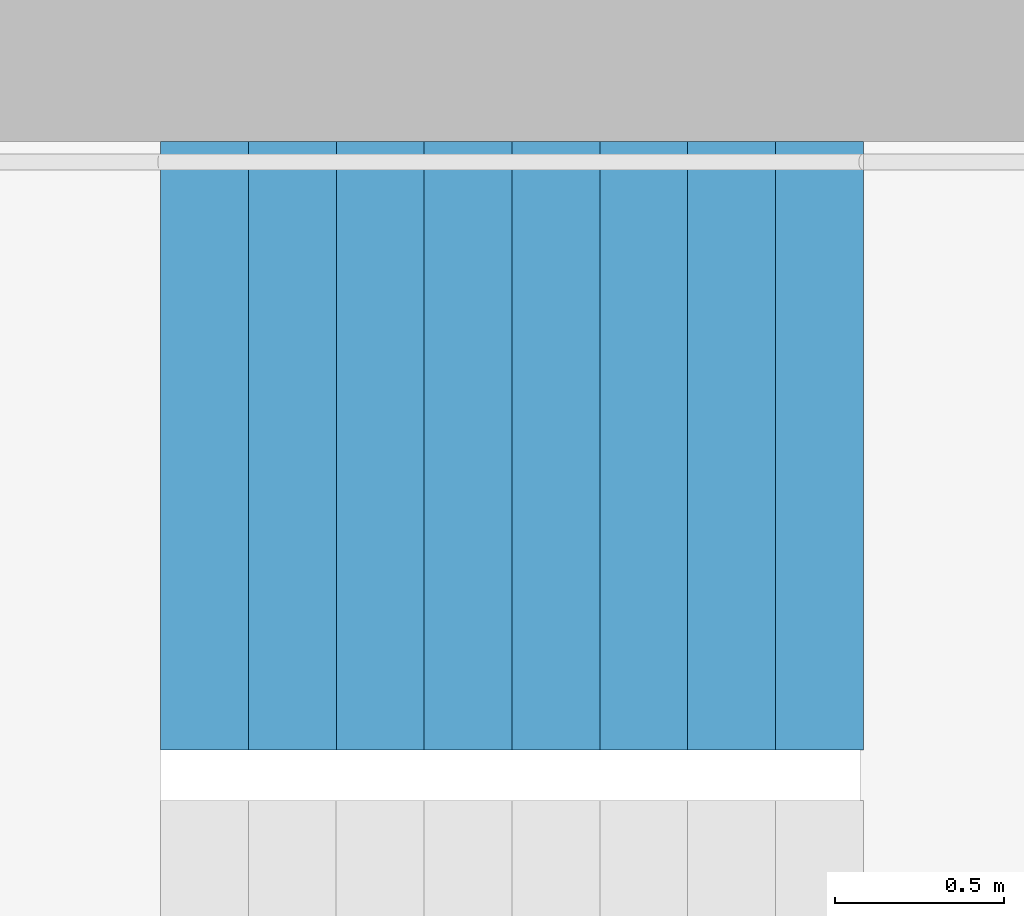
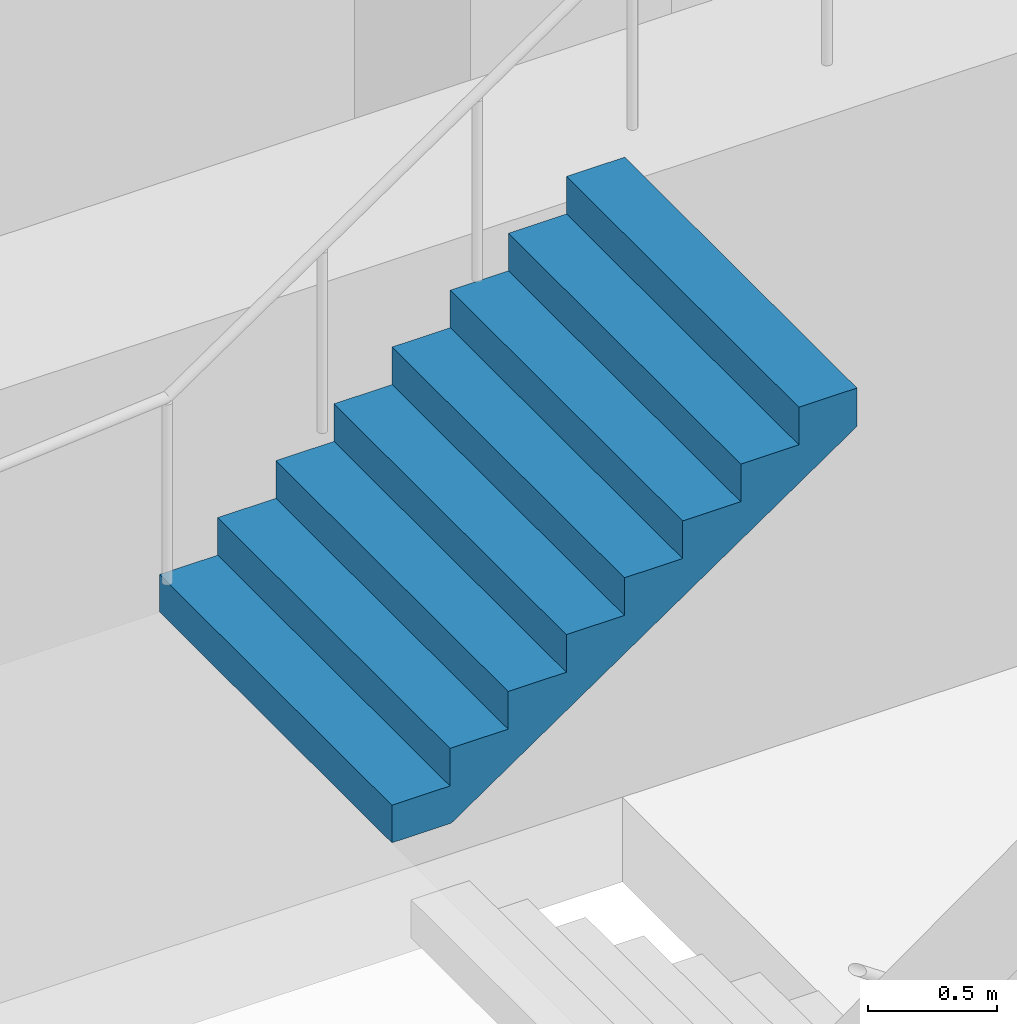
# One storey, part 28 of 29: 1 stair flight, 1 element without a shape of its own.
"""IFC4 building model written with IfcOpenShell, lengths in metres."""

from ifc_helpers import new_model, si_unit, direction, frame, origin, place, context, subcontext, project, spatial, triangles, material, type_object, element, aggregate, save


model = new_model("IFC4")

# Units and contexts
model_context = context("Model", 3, precision=1e-05, world=origin(), true_north=direction((0.0, 1.0)))
body_context = subcontext(model_context, "Body", "Model", "MODEL_VIEW")
ifc_project = project(units=[si_unit("LENGTHUNIT", "METRE"), si_unit("AREAUNIT", "SQUARE_METRE"), si_unit("VOLUMEUNIT", "CUBIC_METRE"), si_unit("PLANEANGLEUNIT", "RADIAN"), si_unit("MASSUNIT", "GRAM", prefix="KILO")], contexts=[model_context])

# Site, building, storey
site_placement = place(None, origin())
site = spatial("IfcSite", under=ifc_project, at=site_placement, CompositionType="ELEMENT")
building_placement = place(site_placement, origin())
building = spatial("IfcBuilding", under=site, at=building_placement, Name="Hakoniwa Tower and Hamabe Station Hall", CompositionType="ELEMENT")
storey_placement = place(building_placement, frame((0.0, 0.0, 117.0)))
storey = spatial("IfcBuildingStorey", under=building, at=storey_placement, Name="L33", CompositionType="ELEMENT", Elevation=117.0)

# Stair, stair flight
ifc_material_1 = material(Name="Concrete C40", Category="concrete")
stair_type = type_object("IfcStairType", Name="ESCAPE STAIR 1800", PredefinedType="HALF_TURN_STAIR", material=ifc_material_1)
stair_placement = place(storey_placement, origin())
stair = element("IfcStair", 1, at=stair_placement, inside=storey, type_object=stair_type, Name="Escape stair ST-3 L33", PredefinedType="HALF_TURN_STAIR")
ifc_material_2 = material(Name="Concrete C40", Category="concrete")
stair_flight_type = type_object("IfcStairFlightType", Name="STAIR FLIGHT 1800", PredefinedType="STRAIGHT", material=ifc_material_2)
stair_flight_placement = place(storey_placement, frame((22.320068359375, 6.60009765625, 1.60009765625), z_axis=(0.0, 0.0, 1.0), x_axis=(1.0, 0.0, 0.0)))
stair_flight = element("IfcStairFlight", 2, at=stair_flight_placement, type_object=stair_flight_type, Name="ST-3 flight 2", NumberOfRisers=9, NumberOfTreads=8, PredefinedType="STRAIGHT", RiserHeight=0.177777778, TreadLength=0.26, context=body_context, shape_type="Tessellation", body=[
    triangles([(0.0, 0.89990234375, 0.0), (0.260009765625, 0.89990234375, 0.0), (0.265625, 0.89990234375, 0.0), (0.52001953125, 0.89990234375, 0.174072265625), (0.780029296875, 0.89990234375, 0.351806640625), (1.0400390625, 0.89990234375, 0.529541015625), (1.300048828125, 0.89990234375, 0.707275390625), (1.56005859375, 0.89990234375, 0.885009765625), (1.820068359375, 0.89990234375, 1.062744140625), (2.080078125, 0.89990234375, 1.24072265625), (2.080078125, 0.89990234375, 1.422119140625), (1.820068359375, 0.89990234375, 1.422119140625), (1.820068359375, 0.89990234375, 1.244384765625), (1.56005859375, 0.89990234375, 1.244384765625), (1.56005859375, 0.89990234375, 1.066650390625), (1.300048828125, 0.89990234375, 1.066650390625), (1.300048828125, 0.89990234375, 0.888916015625), (1.0400390625, 0.89990234375, 0.888916015625), (1.0400390625, 0.89990234375, 0.711181640625), (0.780029296875, 0.89990234375, 0.711181640625), (0.780029296875, 0.89990234375, 0.533447265625), (0.52001953125, 0.89990234375, 0.533447265625), (0.52001953125, 0.89990234375, 0.35546875), (0.265625, 0.89990234375, 0.35546875), (0.260009765625, 0.89990234375, 0.35546875), (0.260009765625, 0.89990234375, 0.177734375), (0.0, 0.89990234375, 0.177734375), (0.0, 0.06005859375, 0.0), (0.260009765625, 0.06005859375, 0.0), (0.265625, 0.06005859375, 0.0), (0.52001953125, 0.06005859375, 0.174072265625), (0.780029296875, 0.06005859375, 0.351806640625), (1.0400390625, 0.06005859375, 0.529541015625), (1.300048828125, 0.06005859375, 0.707275390625), (1.56005859375, 0.06005859375, 0.885009765625), (1.820068359375, 0.06005859375, 1.062744140625), (2.080078125, 0.06005859375, 1.24072265625), (2.080078125, 0.06005859375, 1.422119140625), (1.820068359375, 0.06005859375, 1.422119140625), (1.820068359375, 0.06005859375, 1.244384765625), (1.56005859375, 0.06005859375, 1.244384765625), (1.56005859375, 0.06005859375, 1.066650390625), (1.300048828125, 0.06005859375, 1.066650390625), (1.300048828125, 0.06005859375, 0.888916015625), (1.0400390625, 0.06005859375, 0.888916015625), (1.0400390625, 0.06005859375, 0.711181640625), (0.780029296875, 0.06005859375, 0.711181640625), (0.780029296875, 0.06005859375, 0.533447265625), (0.52001953125, 0.06005859375, 0.533447265625), (0.52001953125, 0.06005859375, 0.35546875), (0.265625, 0.06005859375, 0.35546875), (0.260009765625, 0.06005859375, 0.35546875), (0.260009765625, 0.06005859375, 0.177734375), (0.0, 0.06005859375, 0.177734375), (0.0, 0.04296875, 0.0), (0.260009765625, 0.04296875, 0.0), (0.265625, 0.04296875, 0.0), (0.52001953125, 0.04296875, 0.174072265625), (0.780029296875, 0.04296875, 0.351806640625), (1.0400390625, 0.04296875, 0.529541015625), (1.300048828125, 0.04296875, 0.707275390625), (1.56005859375, 0.04296875, 0.885009765625), (1.820068359375, 0.04296875, 1.062744140625), (2.080078125, 0.04296875, 1.24072265625), (2.080078125, 0.04296875, 1.422119140625), (1.820068359375, 0.04296875, 1.422119140625), (1.820068359375, 0.04296875, 1.244384765625), (1.56005859375, 0.04296875, 1.244384765625), (1.56005859375, 0.04296875, 1.066650390625), (1.300048828125, 0.04296875, 1.066650390625), (1.300048828125, 0.04296875, 0.888916015625), (1.0400390625, 0.04296875, 0.888916015625), (1.0400390625, 0.04296875, 0.711181640625), (0.780029296875, 0.04296875, 0.711181640625), (0.780029296875, 0.04296875, 0.533447265625), (0.52001953125, 0.04296875, 0.533447265625), (0.52001953125, 0.04296875, 0.35546875), (0.265625, 0.04296875, 0.35546875), (0.260009765625, 0.04296875, 0.35546875), (0.260009765625, 0.04296875, 0.177734375), (0.0, 0.04296875, 0.177734375), (0.0, 0.025634765625, 0.0), (0.260009765625, 0.025634765625, 0.0), (0.265625, 0.025634765625, 0.0), (0.52001953125, 0.025634765625, 0.174072265625), (0.780029296875, 0.025634765625, 0.351806640625), (1.0400390625, 0.025634765625, 0.529541015625), (1.300048828125, 0.025634765625, 0.707275390625), (1.56005859375, 0.025634765625, 0.885009765625), (1.820068359375, 0.025634765625, 1.062744140625), (2.080078125, 0.025634765625, 1.24072265625), (2.080078125, 0.025634765625, 1.422119140625), (1.820068359375, 0.025634765625, 1.422119140625), (1.820068359375, 0.025634765625, 1.244384765625), (1.56005859375, 0.025634765625, 1.244384765625), (1.56005859375, 0.025634765625, 1.066650390625), (1.300048828125, 0.025634765625, 1.066650390625), (1.300048828125, 0.025634765625, 0.888916015625), (1.0400390625, 0.025634765625, 0.888916015625), (1.0400390625, 0.025634765625, 0.711181640625), (0.780029296875, 0.025634765625, 0.711181640625), (0.780029296875, 0.025634765625, 0.533447265625), (0.52001953125, 0.025634765625, 0.533447265625), (0.52001953125, 0.025634765625, 0.35546875), (0.265625, 0.025634765625, 0.35546875), (0.260009765625, 0.025634765625, 0.35546875), (0.260009765625, 0.025634765625, 0.177734375), (0.0, 0.025634765625, 0.177734375), (0.0, 0.008544921875, 0.0), (0.260009765625, 0.008544921875, 0.0), (0.265625, 0.008544921875, 0.0), (0.52001953125, 0.008544921875, 0.174072265625), (0.780029296875, 0.008544921875, 0.351806640625), (1.0400390625, 0.008544921875, 0.529541015625), (1.300048828125, 0.008544921875, 0.707275390625), (1.56005859375, 0.008544921875, 0.885009765625), (1.820068359375, 0.008544921875, 1.062744140625), (2.080078125, 0.008544921875, 1.24072265625), (2.080078125, 0.008544921875, 1.422119140625), (1.820068359375, 0.008544921875, 1.422119140625), (1.820068359375, 0.008544921875, 1.244384765625), (1.56005859375, 0.008544921875, 1.244384765625), (1.56005859375, 0.008544921875, 1.066650390625), (1.300048828125, 0.008544921875, 1.066650390625), (1.300048828125, 0.008544921875, 0.888916015625), (1.0400390625, 0.008544921875, 0.888916015625), (1.0400390625, 0.008544921875, 0.711181640625), (0.780029296875, 0.008544921875, 0.711181640625), (0.780029296875, 0.008544921875, 0.533447265625), (0.52001953125, 0.008544921875, 0.533447265625), (0.52001953125, 0.008544921875, 0.35546875), (0.265625, 0.008544921875, 0.35546875), (0.260009765625, 0.008544921875, 0.35546875), (0.260009765625, 0.008544921875, 0.177734375), (0.0, 0.008544921875, 0.177734375), (0.0, -0.008544921875, 0.0), (0.260009765625, -0.008544921875, 0.0), (0.265625, -0.008544921875, 0.0), (0.52001953125, -0.008544921875, 0.174072265625), (0.780029296875, -0.008544921875, 0.351806640625), (1.0400390625, -0.008544921875, 0.529541015625), (1.300048828125, -0.008544921875, 0.707275390625), (1.56005859375, -0.008544921875, 0.885009765625), (1.820068359375, -0.008544921875, 1.062744140625), (2.080078125, -0.008544921875, 1.24072265625), (2.080078125, -0.008544921875, 1.422119140625), (1.820068359375, -0.008544921875, 1.422119140625), (1.820068359375, -0.008544921875, 1.244384765625), (1.56005859375, -0.008544921875, 1.244384765625), (1.56005859375, -0.008544921875, 1.066650390625), (1.300048828125, -0.008544921875, 1.066650390625), (1.300048828125, -0.008544921875, 0.888916015625), (1.0400390625, -0.008544921875, 0.888916015625), (1.0400390625, -0.008544921875, 0.711181640625), (0.780029296875, -0.008544921875, 0.711181640625), (0.780029296875, -0.008544921875, 0.533447265625), (0.52001953125, -0.008544921875, 0.533447265625), (0.52001953125, -0.008544921875, 0.35546875), (0.265625, -0.008544921875, 0.35546875), (0.260009765625, -0.008544921875, 0.35546875), (0.260009765625, -0.008544921875, 0.177734375), (0.0, -0.008544921875, 0.177734375), (0.0, -0.025634765625, 0.0), (0.260009765625, -0.025634765625, 0.0), (0.265625, -0.025634765625, 0.0), (0.52001953125, -0.025634765625, 0.174072265625), (0.780029296875, -0.025634765625, 0.351806640625), (1.0400390625, -0.025634765625, 0.529541015625), (1.300048828125, -0.025634765625, 0.707275390625), (1.56005859375, -0.025634765625, 0.885009765625), (1.820068359375, -0.025634765625, 1.062744140625), (2.080078125, -0.025634765625, 1.24072265625), (2.080078125, -0.025634765625, 1.422119140625), (1.820068359375, -0.025634765625, 1.422119140625), (1.820068359375, -0.025634765625, 1.244384765625), (1.56005859375, -0.025634765625, 1.244384765625), (1.56005859375, -0.025634765625, 1.066650390625), (1.300048828125, -0.025634765625, 1.066650390625), (1.300048828125, -0.025634765625, 0.888916015625), (1.0400390625, -0.025634765625, 0.888916015625), (1.0400390625, -0.025634765625, 0.711181640625), (0.780029296875, -0.025634765625, 0.711181640625), (0.780029296875, -0.025634765625, 0.533447265625), (0.52001953125, -0.025634765625, 0.533447265625), (0.52001953125, -0.025634765625, 0.35546875), (0.265625, -0.025634765625, 0.35546875), (0.260009765625, -0.025634765625, 0.35546875), (0.260009765625, -0.025634765625, 0.177734375), (0.0, -0.025634765625, 0.177734375), (0.0, -0.04296875, 0.0), (0.260009765625, -0.04296875, 0.0), (0.265625, -0.04296875, 0.0), (0.52001953125, -0.04296875, 0.174072265625), (0.780029296875, -0.04296875, 0.351806640625), (1.0400390625, -0.04296875, 0.529541015625), (1.300048828125, -0.04296875, 0.707275390625), (1.56005859375, -0.04296875, 0.885009765625), (1.820068359375, -0.04296875, 1.062744140625), (2.080078125, -0.04296875, 1.24072265625), (2.080078125, -0.04296875, 1.422119140625), (1.820068359375, -0.04296875, 1.422119140625), (1.820068359375, -0.04296875, 1.244384765625), (1.56005859375, -0.04296875, 1.244384765625), (1.56005859375, -0.04296875, 1.066650390625), (1.300048828125, -0.04296875, 1.066650390625), (1.300048828125, -0.04296875, 0.888916015625), (1.0400390625, -0.04296875, 0.888916015625), (1.0400390625, -0.04296875, 0.711181640625), (0.780029296875, -0.04296875, 0.711181640625), (0.780029296875, -0.04296875, 0.533447265625), (0.52001953125, -0.04296875, 0.533447265625), (0.52001953125, -0.04296875, 0.35546875), (0.265625, -0.04296875, 0.35546875), (0.260009765625, -0.04296875, 0.35546875), (0.260009765625, -0.04296875, 0.177734375), (0.0, -0.04296875, 0.177734375), (0.0, -0.06005859375, 0.0), (0.260009765625, -0.06005859375, 0.0), (0.265625, -0.06005859375, 0.0), (0.52001953125, -0.06005859375, 0.174072265625), (0.780029296875, -0.06005859375, 0.351806640625), (1.0400390625, -0.06005859375, 0.529541015625), (1.300048828125, -0.06005859375, 0.707275390625), (1.56005859375, -0.06005859375, 0.885009765625), (1.820068359375, -0.06005859375, 1.062744140625), (2.080078125, -0.06005859375, 1.24072265625), (2.080078125, -0.06005859375, 1.422119140625), (1.820068359375, -0.06005859375, 1.422119140625), (1.820068359375, -0.06005859375, 1.244384765625), (1.56005859375, -0.06005859375, 1.244384765625), (1.56005859375, -0.06005859375, 1.066650390625), (1.300048828125, -0.06005859375, 1.066650390625), (1.300048828125, -0.06005859375, 0.888916015625), (1.0400390625, -0.06005859375, 0.888916015625), (1.0400390625, -0.06005859375, 0.711181640625), (0.780029296875, -0.06005859375, 0.711181640625), (0.780029296875, -0.06005859375, 0.533447265625), (0.52001953125, -0.06005859375, 0.533447265625), (0.52001953125, -0.06005859375, 0.35546875), (0.265625, -0.06005859375, 0.35546875), (0.260009765625, -0.06005859375, 0.35546875), (0.260009765625, -0.06005859375, 0.177734375), (0.0, -0.06005859375, 0.177734375), (0.0, -0.89990234375, 0.0), (0.260009765625, -0.89990234375, 0.0), (0.265625, -0.89990234375, 0.0), (0.52001953125, -0.89990234375, 0.174072265625), (0.780029296875, -0.89990234375, 0.351806640625), (1.0400390625, -0.89990234375, 0.529541015625), (1.300048828125, -0.89990234375, 0.707275390625), (1.56005859375, -0.89990234375, 0.885009765625), (1.820068359375, -0.89990234375, 1.062744140625), (2.080078125, -0.89990234375, 1.24072265625), (2.080078125, -0.89990234375, 1.422119140625), (1.820068359375, -0.89990234375, 1.422119140625), (1.820068359375, -0.89990234375, 1.244384765625), (1.56005859375, -0.89990234375, 1.244384765625), (1.56005859375, -0.89990234375, 1.066650390625), (1.300048828125, -0.89990234375, 1.066650390625), (1.300048828125, -0.89990234375, 0.888916015625), (1.0400390625, -0.89990234375, 0.888916015625), (1.0400390625, -0.89990234375, 0.711181640625), (0.780029296875, -0.89990234375, 0.711181640625), (0.780029296875, -0.89990234375, 0.533447265625), (0.52001953125, -0.89990234375, 0.533447265625), (0.52001953125, -0.89990234375, 0.35546875), (0.265625, -0.89990234375, 0.35546875), (0.260009765625, -0.89990234375, 0.35546875), (0.260009765625, -0.89990234375, 0.177734375), (0.0, -0.89990234375, 0.177734375)], [[2, 27, 26], [245, 269, 270], [2, 1, 27], [245, 270, 244], [3, 25, 24], [246, 267, 268], [3, 26, 25], [246, 268, 269], [3, 2, 26], [246, 269, 245], [4, 24, 23], [247, 266, 267], [4, 3, 24], [247, 267, 246], [5, 22, 21], [248, 264, 265], [5, 23, 22], [248, 265, 266], [5, 4, 23], [248, 266, 247], [6, 20, 19], [249, 262, 263], [6, 21, 20], [249, 263, 264], [6, 5, 21], [249, 264, 248], [7, 18, 17], [250, 260, 261], [7, 19, 18], [250, 261, 262], [7, 6, 19], [250, 262, 249], [8, 16, 15], [251, 258, 259], [8, 17, 16], [251, 259, 260], [8, 7, 17], [251, 260, 250], [9, 14, 13], [252, 256, 257], [9, 15, 14], [252, 257, 258], [9, 8, 15], [252, 258, 251], [10, 12, 11], [253, 254, 255], [10, 13, 12], [253, 255, 256], [10, 9, 13], [253, 256, 252], [1, 2, 29], [1, 29, 28], [28, 29, 56], [28, 56, 55], [55, 56, 83], [55, 83, 82], [82, 83, 110], [82, 110, 109], [109, 110, 137], [109, 137, 136], [136, 137, 164], [136, 164, 163], [163, 164, 191], [163, 191, 190], [190, 191, 218], [190, 218, 217], [217, 218, 245], [217, 245, 244], [2, 3, 30], [2, 30, 29], [29, 30, 57], [29, 57, 56], [56, 57, 84], [56, 84, 83], [83, 84, 111], [83, 111, 110], [110, 111, 138], [110, 138, 137], [137, 138, 165], [137, 165, 164], [164, 165, 192], [164, 192, 191], [191, 192, 219], [191, 219, 218], [218, 219, 246], [218, 246, 245], [3, 4, 31], [3, 31, 30], [30, 31, 58], [30, 58, 57], [57, 58, 85], [57, 85, 84], [84, 85, 112], [84, 112, 111], [111, 112, 139], [111, 139, 138], [138, 139, 166], [138, 166, 165], [165, 166, 193], [165, 193, 192], [192, 193, 220], [192, 220, 219], [219, 220, 247], [219, 247, 246], [4, 5, 32], [4, 32, 31], [31, 32, 59], [31, 59, 58], [58, 59, 86], [58, 86, 85], [85, 86, 113], [85, 113, 112], [112, 113, 140], [112, 140, 139], [139, 140, 167], [139, 167, 166], [166, 167, 194], [166, 194, 193], [193, 194, 221], [193, 221, 220], [220, 221, 248], [220, 248, 247], [5, 6, 33], [5, 33, 32], [32, 33, 60], [32, 60, 59], [59, 60, 87], [59, 87, 86], [86, 87, 114], [86, 114, 113], [113, 114, 141], [113, 141, 140], [140, 141, 168], [140, 168, 167], [167, 168, 195], [167, 195, 194], [194, 195, 222], [194, 222, 221], [221, 222, 249], [221, 249, 248], [6, 7, 34], [6, 34, 33], [33, 34, 61], [33, 61, 60], [60, 61, 88], [60, 88, 87], [87, 88, 115], [87, 115, 114], [114, 115, 142], [114, 142, 141], [141, 142, 169], [141, 169, 168], [168, 169, 196], [168, 196, 195], [195, 196, 223], [195, 223, 222], [222, 223, 250], [222, 250, 249], [7, 8, 35], [7, 35, 34], [34, 35, 62], [34, 62, 61], [61, 62, 89], [61, 89, 88], [88, 89, 116], [88, 116, 115], [115, 116, 143], [115, 143, 142], [142, 143, 170], [142, 170, 169], [169, 170, 197], [169, 197, 196], [196, 197, 224], [196, 224, 223], [223, 224, 251], [223, 251, 250], [8, 9, 36], [8, 36, 35], [35, 36, 63], [35, 63, 62], [62, 63, 90], [62, 90, 89], [89, 90, 117], [89, 117, 116], [116, 117, 144], [116, 144, 143], [143, 144, 171], [143, 171, 170], [170, 171, 198], [170, 198, 197], [197, 198, 225], [197, 225, 224], [224, 225, 252], [224, 252, 251], [9, 10, 37], [9, 37, 36], [36, 37, 64], [36, 64, 63], [63, 64, 91], [63, 91, 90], [90, 91, 118], [90, 118, 117], [117, 118, 145], [117, 145, 144], [144, 145, 172], [144, 172, 171], [171, 172, 199], [171, 199, 198], [198, 199, 226], [198, 226, 225], [225, 226, 253], [225, 253, 252], [10, 11, 38], [10, 38, 37], [37, 38, 65], [37, 65, 64], [64, 65, 92], [64, 92, 91], [91, 92, 119], [91, 119, 118], [118, 119, 146], [118, 146, 145], [145, 146, 173], [145, 173, 172], [172, 173, 200], [172, 200, 199], [199, 200, 227], [199, 227, 226], [226, 227, 254], [226, 254, 253], [11, 12, 39], [11, 39, 38], [38, 39, 66], [38, 66, 65], [65, 66, 93], [65, 93, 92], [92, 93, 120], [92, 120, 119], [119, 120, 147], [119, 147, 146], [146, 147, 174], [146, 174, 173], [173, 174, 201], [173, 201, 200], [200, 201, 228], [200, 228, 227], [227, 228, 255], [227, 255, 254], [12, 13, 40], [12, 40, 39], [39, 40, 67], [39, 67, 66], [66, 67, 94], [66, 94, 93], [93, 94, 121], [93, 121, 120], [120, 121, 148], [120, 148, 147], [147, 148, 175], [147, 175, 174], [174, 175, 202], [174, 202, 201], [201, 202, 229], [201, 229, 228], [228, 229, 256], [228, 256, 255], [13, 14, 41], [13, 41, 40], [40, 41, 68], [40, 68, 67], [67, 68, 95], [67, 95, 94], [94, 95, 122], [94, 122, 121], [121, 122, 149], [121, 149, 148], [148, 149, 176], [148, 176, 175], [175, 176, 203], [175, 203, 202], [202, 203, 230], [202, 230, 229], [229, 230, 257], [229, 257, 256], [14, 15, 42], [14, 42, 41], [41, 42, 69], [41, 69, 68], [68, 69, 96], [68, 96, 95], [95, 96, 123], [95, 123, 122], [122, 123, 150], [122, 150, 149], [149, 150, 177], [149, 177, 176], [176, 177, 204], [176, 204, 203], [203, 204, 231], [203, 231, 230], [230, 231, 258], [230, 258, 257], [15, 16, 43], [15, 43, 42], [42, 43, 70], [42, 70, 69], [69, 70, 97], [69, 97, 96], [96, 97, 124], [96, 124, 123], [123, 124, 151], [123, 151, 150], [150, 151, 178], [150, 178, 177], [177, 178, 205], [177, 205, 204], [204, 205, 232], [204, 232, 231], [231, 232, 259], [231, 259, 258], [16, 17, 44], [16, 44, 43], [43, 44, 71], [43, 71, 70], [70, 71, 98], [70, 98, 97], [97, 98, 125], [97, 125, 124], [124, 125, 152], [124, 152, 151], [151, 152, 179], [151, 179, 178], [178, 179, 206], [178, 206, 205], [205, 206, 233], [205, 233, 232], [232, 233, 260], [232, 260, 259], [17, 18, 45], [17, 45, 44], [44, 45, 72], [44, 72, 71], [71, 72, 99], [71, 99, 98], [98, 99, 126], [98, 126, 125], [125, 126, 153], [125, 153, 152], [152, 153, 180], [152, 180, 179], [179, 180, 207], [179, 207, 206], [206, 207, 234], [206, 234, 233], [233, 234, 261], [233, 261, 260], [18, 19, 46], [18, 46, 45], [45, 46, 73], [45, 73, 72], [72, 73, 100], [72, 100, 99], [99, 100, 127], [99, 127, 126], [126, 127, 154], [126, 154, 153], [153, 154, 181], [153, 181, 180], [180, 181, 208], [180, 208, 207], [207, 208, 235], [207, 235, 234], [234, 235, 262], [234, 262, 261], [19, 20, 47], [19, 47, 46], [46, 47, 74], [46, 74, 73], [73, 74, 101], [73, 101, 100], [100, 101, 128], [100, 128, 127], [127, 128, 155], [127, 155, 154], [154, 155, 182], [154, 182, 181], [181, 182, 209], [181, 209, 208], [208, 209, 236], [208, 236, 235], [235, 236, 263], [235, 263, 262], [20, 21, 48], [20, 48, 47], [47, 48, 75], [47, 75, 74], [74, 75, 102], [74, 102, 101], [101, 102, 129], [101, 129, 128], [128, 129, 156], [128, 156, 155], [155, 156, 183], [155, 183, 182], [182, 183, 210], [182, 210, 209], [209, 210, 237], [209, 237, 236], [236, 237, 264], [236, 264, 263], [21, 22, 49], [21, 49, 48], [48, 49, 76], [48, 76, 75], [75, 76, 103], [75, 103, 102], [102, 103, 130], [102, 130, 129], [129, 130, 157], [129, 157, 156], [156, 157, 184], [156, 184, 183], [183, 184, 211], [183, 211, 210], [210, 211, 238], [210, 238, 237], [237, 238, 265], [237, 265, 264], [22, 23, 50], [22, 50, 49], [49, 50, 77], [49, 77, 76], [76, 77, 104], [76, 104, 103], [103, 104, 131], [103, 131, 130], [130, 131, 158], [130, 158, 157], [157, 158, 185], [157, 185, 184], [184, 185, 212], [184, 212, 211], [211, 212, 239], [211, 239, 238], [238, 239, 266], [238, 266, 265], [23, 24, 51], [23, 51, 50], [50, 51, 78], [50, 78, 77], [77, 78, 105], [77, 105, 104], [104, 105, 132], [104, 132, 131], [131, 132, 159], [131, 159, 158], [158, 159, 186], [158, 186, 185], [185, 186, 213], [185, 213, 212], [212, 213, 240], [212, 240, 239], [239, 240, 267], [239, 267, 266], [24, 25, 52], [24, 52, 51], [51, 52, 79], [51, 79, 78], [78, 79, 106], [78, 106, 105], [105, 106, 133], [105, 133, 132], [132, 133, 160], [132, 160, 159], [159, 160, 187], [159, 187, 186], [186, 187, 214], [186, 214, 213], [213, 214, 241], [213, 241, 240], [240, 241, 268], [240, 268, 267], [25, 26, 53], [25, 53, 52], [52, 53, 80], [52, 80, 79], [79, 80, 107], [79, 107, 106], [106, 107, 134], [106, 134, 133], [133, 134, 161], [133, 161, 160], [160, 161, 188], [160, 188, 187], [187, 188, 215], [187, 215, 214], [214, 215, 242], [214, 242, 241], [241, 242, 269], [241, 269, 268], [26, 27, 54], [26, 54, 53], [53, 54, 81], [53, 81, 80], [80, 81, 108], [80, 108, 107], [107, 108, 135], [107, 135, 134], [134, 135, 162], [134, 162, 161], [161, 162, 189], [161, 189, 188], [188, 189, 216], [188, 216, 215], [215, 216, 243], [215, 243, 242], [242, 243, 270], [242, 270, 269], [27, 1, 28], [27, 28, 54], [54, 28, 55], [54, 55, 81], [81, 55, 82], [81, 82, 108], [108, 82, 109], [108, 109, 135], [135, 109, 136], [135, 136, 162], [162, 136, 163], [162, 163, 189], [189, 163, 190], [189, 190, 216], [216, 190, 217], [216, 217, 243], [243, 217, 244], [243, 244, 270]], closed=True),
])
aggregate(stair, [stair_flight])

save(model, "model.ifc")
